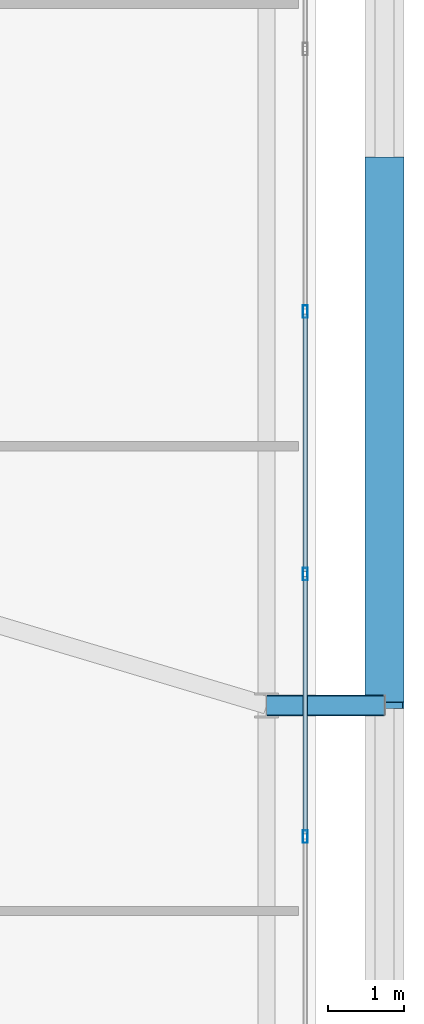
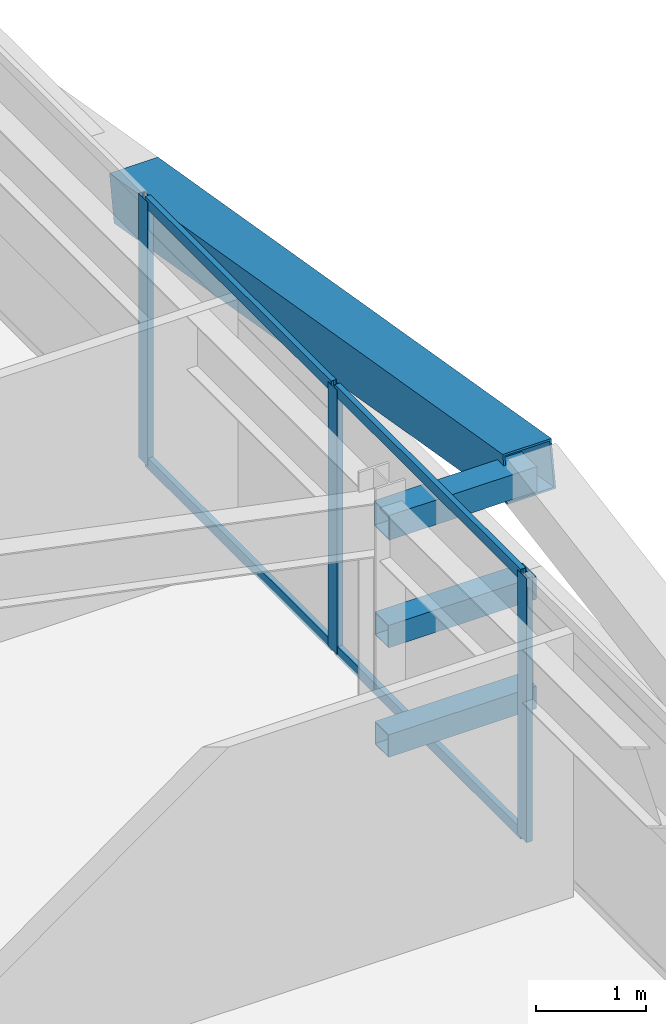
# One storey, part 30 of 59: 11 members, 1 element without a shape of its own.
"""IFC4 building model written with IfcOpenShell, lengths in metres."""

from ifc_helpers import new_model, si_unit, direction, frame, origin, origin_2d, place, context, subcontext, project, spatial, hollow_rectangle, extrude, source, transform, mapped, material, layer, layer_set, material_profile, profile_set, type_object, element, aggregate, save


model = new_model("IFC4")

# Units and contexts
model_context = context("Model", 3, precision=1e-05, world=origin(), true_north=direction((0.0, 1.0)))
body_context = subcontext(model_context, "Body", "Model", "MODEL_VIEW")
ifc_project = project(units=[si_unit("LENGTHUNIT", "METRE"), si_unit("AREAUNIT", "SQUARE_METRE"), si_unit("VOLUMEUNIT", "CUBIC_METRE"), si_unit("PLANEANGLEUNIT", "RADIAN"), si_unit("MASSUNIT", "GRAM", prefix="KILO")], contexts=[model_context])

# Site, building, storey
site_placement = place(None, origin())
site = spatial("IfcSite", under=ifc_project, at=site_placement, CompositionType="ELEMENT")
building_placement = place(site_placement, origin())
building = spatial("IfcBuilding", under=site, at=building_placement, Name="Taldren Reach Tower", CompositionType="ELEMENT")
storey_placement = place(building_placement, frame((0.0, 0.0, 29.39990234375)))
storey = spatial("IfcBuildingStorey", under=building, at=storey_placement, Name="L08", CompositionType="ELEMENT", Elevation=29.39990234375)

# Members
ifc_material_1 = material(Name="Steel Gr 450 (C450L0)", Category="steel")
ifc_material_profile_1 = material_profile(ifc_material_1, hollow_rectangle(XDim=0.27490234375, YDim=0.27490234375, WallThickness=0.00927734375, at=origin_2d()), Name="275x275x9.3SHS")
ifc_profile_set_1 = profile_set([ifc_material_profile_1], Name="Steel Gr 450 (C450L0)")
member_type_1 = type_object("IfcMemberType", Name="MB-TIE273", PredefinedType="STRUT", material=ifc_profile_set_1)
shared_shape_1 = source(origin(), body_context, "Body", "SweptSolid", [
    extrude(hollow_rectangle(XDim=0.27490234375, YDim=0.27490234375, WallThickness=0.00927734375, at=origin_2d()), origin(), (0.0, 0.0, 1.0), 1.5498046875),
])
member_1_placement = place(storey_placement, frame((64.35009765625, 20.0, 2.650146484375), z_axis=(1.0, 0.0, 0.0), x_axis=(0.0, 1.0, 0.0)))
element("IfcMember", 1, at=member_1_placement, inside=storey, type_object=member_type_1, Name="Exoskeleton diaphragm tie strut B1-E2 L08", PredefinedType="STRUT", context=body_context, shape_type="MappedRepresentation", body=[
    mapped(shared_shape_1, transform((0.0, 0.0, 0.0), scale=1.0)),
])
ifc_material_2 = material(Name="Steel Gr 350 (C350L0)", Category="steel")
ifc_material_profile_2 = material_profile(ifc_material_2, hollow_rectangle(XDim=0.25, YDim=0.25, WallThickness=0.010009765625, at=origin_2d()), Name="250x250x10.0SHS")
ifc_profile_set_2 = profile_set([ifc_material_profile_2], Name="Steel Gr 350 (C350L0)")
member_type_2 = type_object("IfcMemberType", Name="MB-POST250", PredefinedType="POST", material=ifc_profile_set_2)
shared_shape_2 = source(origin(), body_context, "Body", "SweptSolid", [
    extrude(hollow_rectangle(XDim=0.25, YDim=0.25, WallThickness=0.010009765625, at=origin_2d()), origin(), (0.0, 0.0, 1.0), 1.5498046875),
])
for number, where, z_axis, x_axis, name in (
    (2, (64.35009765625, 20.0, 0.22021484375), (1.0, 0.0, 0.0), (0.0, 1.0, 0.0), "Exoskeleton base diaphragm tie strut B1-E2 L08"),
    (3, (64.35009765625, 20.0, 1.43505859375), (1.0, 0.0, 0.0), (0.0, 1.0, 0.0), "Exoskeleton mid-tier diaphragm tie B1-E2 L08"),
):
    element("IfcMember", number, at=place(storey_placement, frame(where, z_axis=z_axis, x_axis=x_axis)), inside=storey, type_object=member_type_2, Name=name, PredefinedType="POST", context=body_context, shape_type="MappedRepresentation", body=[
        mapped(shared_shape_2, transform((0.0, 0.0, 0.0), scale=1.0)),
    ])
ifc_material_profile_3 = material_profile(ifc_material_1, hollow_rectangle(XDim=0.510009765625, YDim=0.510009765625, WallThickness=0.02001953125, at=origin_2d()), Name="510x510x20.0SHS")
ifc_profile_set_3 = profile_set([ifc_material_profile_3], Name="Steel Gr 450 (C450L0)")
member_type_3 = type_object("IfcMemberType", Name="MB-EXO508", PredefinedType="BRACE", material=ifc_profile_set_3)
shared_shape_3 = source(origin(), body_context, "Body", "SweptSolid", [
    extrude(hollow_rectangle(XDim=0.510009765625, YDim=0.510009765625, WallThickness=0.02001953125, at=origin_2d()), origin(), (0.0, 0.0, 1.0), 7.25244140625),
])
member_2_placement = place(storey_placement, frame((65.89990234375, 27.14990234375, 1.43505859375), z_axis=(0.0, -0.985864855729, 0.167542490848), x_axis=(1.0, 0.0, 0.0)))
element("IfcMember", 4, at=member_2_placement, inside=storey, type_object=member_type_3, Name="Exoskeleton Diagrid Brace B1-E2 L08", PredefinedType="BRACE", context=body_context, shape_type="MappedRepresentation", body=[
    mapped(shared_shape_3, transform((0.0, 0.0, 0.0), scale=1.0)),
])

# Curtain wall, members
ifc_material_3 = material(Name="Aluminium and Low-E Glass Unitised System", Category="aluminium")
ifc_layer = layer(ifc_material_3, 0.159912109375)
ifc_layer_set = layer_set([ifc_layer], Name="Aluminium and Low-E Glass Unitised System")
curtain_wall_type = type_object("IfcCurtainWallType", Name="CW-SYS-2", PredefinedType="NOTDEFINED", material=ifc_layer_set)
curtain_wall_placement = place(storey_placement, origin())
curtain_wall = element("IfcCurtainWall", 5, at=curtain_wall_placement, inside=storey, type_object=curtain_wall_type, Name="Unitised curtain wall CW-L08-E", PredefinedType="NOTDEFINED")
ifc_material_4 = material(Name="Anodised Aluminium 6063-T6", Category="aluminium")
ifc_material_profile_4 = material_profile(ifc_material_4, hollow_rectangle(XDim=0.054931640625, YDim=0.1201171875, WallThickness=0.0029296875, at=origin_2d()), Name="ALU-120x55x3RHS")
ifc_profile_set_4 = profile_set([ifc_material_profile_4], Name="Anodised Aluminium 6063-T6")
member_type_4 = type_object("IfcMemberType", Name="CW-TRN-135", PredefinedType="USERDEFINED", material=ifc_profile_set_4)
shared_shape_4 = source(origin(), body_context, "Body", "SweptSolid", [
    extrude(hollow_rectangle(XDim=0.054931640625, YDim=0.1201171875, WallThickness=0.0029296875, at=origin_2d()), origin(), (0.0, 0.0, 1.0), 3.37939453125),
])
member_3_placement = place(storey_placement, frame((64.860107421875, 18.310302734375, 0.027587890625), z_axis=(0.0, 1.0, 0.0), x_axis=(-1.0, 0.0, 0.0)))
member_3 = element("IfcMember", 6, at=member_3_placement, type_object=member_type_4, Name="CW-2 transom 5.1", ObjectType="TRANSOM", PredefinedType="USERDEFINED", context=body_context, shape_type="MappedRepresentation", body=[
    mapped(shared_shape_4, transform((0.0, 0.0, 0.0), scale=1.0)),
])
member_4_placement = place(storey_placement, frame((64.860107421875, 18.310302734375, 2.902587890625), z_axis=(0.0, 1.0, 0.0), x_axis=(-1.0, 0.0, 0.0)))
member_4 = element("IfcMember", 7, at=member_4_placement, type_object=member_type_4, Name="CW-2 transom 5.2", ObjectType="TRANSOM", PredefinedType="USERDEFINED", context=body_context, shape_type="MappedRepresentation", body=[
    mapped(shared_shape_4, transform((0.0, 0.0, 0.0), scale=1.0)),
])
shared_shape_5 = source(origin(), body_context, "Body", "SweptSolid", [
    extrude(hollow_rectangle(XDim=0.054931640625, YDim=0.1201171875, WallThickness=0.0029296875, at=origin_2d()), origin(), (0.0, 0.0, 1.0), 3.379638671875),
])
member_5_placement = place(storey_placement, frame((64.860107421875, 21.754638671875, 0.027587890625), z_axis=(0.0, 1.0, 0.0), x_axis=(-1.0, 0.0, 0.0)))
member_5 = element("IfcMember", 8, at=member_5_placement, type_object=member_type_4, Name="CW-2 transom 6.1", ObjectType="TRANSOM", PredefinedType="USERDEFINED", context=body_context, shape_type="MappedRepresentation", body=[
    mapped(shared_shape_5, transform((0.0, 0.0, 0.0), scale=1.0)),
])
member_6_placement = place(storey_placement, frame((64.860107421875, 21.754638671875, 2.902587890625), z_axis=(0.0, 1.0, 0.0), x_axis=(-1.0, 0.0, 0.0)))
member_6 = element("IfcMember", 9, at=member_6_placement, type_object=member_type_4, Name="CW-2 transom 6.2", ObjectType="TRANSOM", PredefinedType="USERDEFINED", context=body_context, shape_type="MappedRepresentation", body=[
    mapped(shared_shape_5, transform((0.0, 0.0, 0.0), scale=1.0)),
])
ifc_material_profile_5 = material_profile(ifc_material_4, hollow_rectangle(XDim=0.06494140625, YDim=0.1650390625, WallThickness=0.00390625, at=origin_2d()), Name="ALU-165x65x4RHS")
ifc_profile_set_5 = profile_set([ifc_material_profile_5], Name="Anodised Aluminium 6063-T6")
member_type_5 = type_object("IfcMemberType", Name="CW-MUL-165", PredefinedType="MULLION", material=ifc_profile_set_5)
shared_shape_6 = source(origin(), body_context, "Body", "SweptSolid", [
    extrude(hollow_rectangle(XDim=0.06494140625, YDim=0.1650390625, WallThickness=0.00390625, at=origin_2d()), origin(), (0.0, 0.0, 1.0), 2.93017578125),
])
member_7_placement = place(storey_placement, frame((64.860107421875, 18.27783203125, 0.0), z_axis=(0.0, 0.0, 1.0), x_axis=(-1.0, 0.0, 0.0)))
member_7 = element("IfcMember", 10, at=member_7_placement, type_object=member_type_5, Name="CW-2 mullion 5", PredefinedType="MULLION", context=body_context, shape_type="MappedRepresentation", body=[
    mapped(shared_shape_6, transform((0.0, 0.0, 0.0), scale=1.0)),
])
member_8_placement = place(storey_placement, frame((64.860107421875, 21.72216796875, 0.0), z_axis=(0.0, 0.0, 1.0), x_axis=(-1.0, 0.0, 0.0)))
member_8 = element("IfcMember", 11, at=member_8_placement, type_object=member_type_5, Name="CW-2 mullion 6", PredefinedType="MULLION", context=body_context, shape_type="MappedRepresentation", body=[
    mapped(shared_shape_6, transform((0.0, 0.0, 0.0), scale=1.0)),
])
member_9_placement = place(storey_placement, frame((64.860107421875, 25.166748046875, 0.0), z_axis=(0.0, 0.0, 1.0), x_axis=(-1.0, 0.0, 0.0)))
member_9 = element("IfcMember", 12, at=member_9_placement, type_object=member_type_5, Name="CW-2 mullion 7", PredefinedType="MULLION", context=body_context, shape_type="MappedRepresentation", body=[
    mapped(shared_shape_6, transform((0.0, 0.0, 0.0), scale=1.0)),
])
aggregate(curtain_wall, [member_7, member_8, member_9, member_3, member_4, member_5, member_6])

save(model, "model.ifc")
